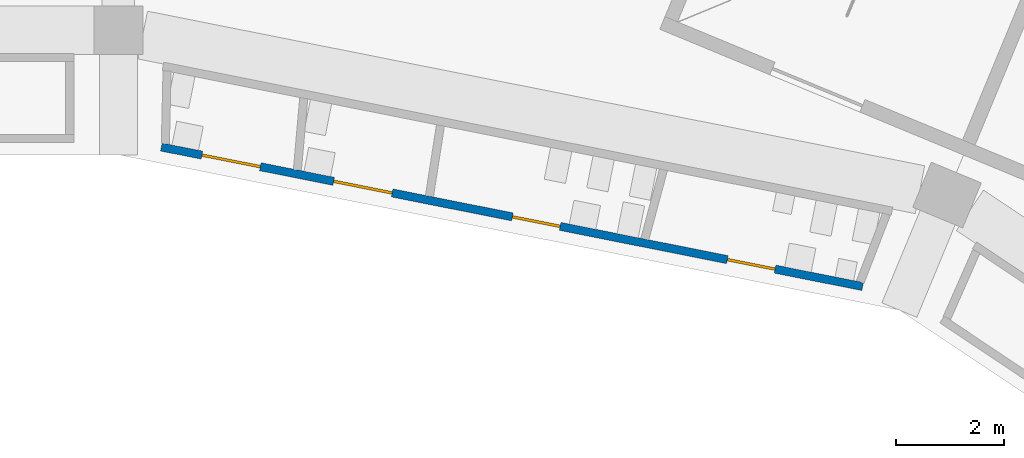
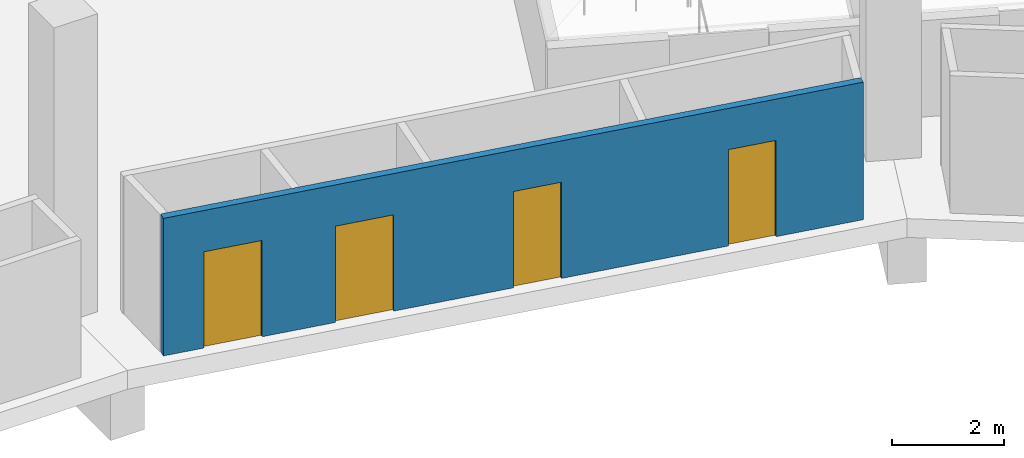
# One storey, part 80 of 130: 4 doors, 1 wall, 4 openings.
"""IFC4 building model written with IfcOpenShell, lengths in metres."""

from ifc_helpers import new_model, si_unit, direction, frame, frame_2d, origin, place, context, subcontext, project, spatial, rectangle, extrude, material, layer, layer_set, type_object, element, fill, save


model = new_model("IFC4")

# Units and contexts
model_context = context("Model", 3, precision=1e-05, world=origin(), true_north=direction((0.0, 1.0)))
body_context = subcontext(model_context, "Body", "Model", "MODEL_VIEW")
ifc_project = project(units=[si_unit("LENGTHUNIT", "METRE"), si_unit("AREAUNIT", "SQUARE_METRE"), si_unit("VOLUMEUNIT", "CUBIC_METRE"), si_unit("PLANEANGLEUNIT", "RADIAN"), si_unit("MASSUNIT", "GRAM", prefix="KILO")], contexts=[model_context])

# Site, building, storey
site_placement = place(None, origin())
site = spatial("IfcSite", under=ifc_project, at=site_placement, CompositionType="ELEMENT")
building_placement = place(site_placement, origin())
building = spatial("IfcBuilding", under=site, at=building_placement, Name="Ogive Plaza Stadium", CompositionType="ELEMENT")
storey_placement = place(building_placement, frame((0.0, 0.0, 22.5)))
storey = spatial("IfcBuildingStorey", under=building, at=storey_placement, Name="L05", CompositionType="ELEMENT", Elevation=22.5)

# Wall, openings, doors
ifc_material_1 = material(Name="Gypsum board partition", Category="gypsum")
ifc_layer = layer(ifc_material_1, 0.14990234375)
ifc_layer_set = layer_set([ifc_layer], Name="Partition 150")
wall_type = type_object("IfcWallType", Name="Partition 150", PredefinedType="PARTITIONING", material=ifc_layer_set)
wall_placement = place(storey_placement, frame((47.74853515625, 87.76513671875, 0.0), z_axis=(0.0, 0.0, 1.0), x_axis=(-0.980782047358, 0.195106574927, 0.0)))
wall = element("IfcWall", 1, at=wall_placement, inside=storey, type_object=wall_type, Name="Wall L05 B37", PredefinedType="PARTITIONING", context=body_context, shape_type="SweptSolid", body=[
    extrude(rectangle(XDim=13.208984375, YDim=0.14990234375, at=frame_2d((6.6044921875, 0.0))), origin(), (0.0, 0.0, 1.0), 3.0),
])
opening_1_placement = place(wall_placement, frame((1.648193359375, 0.0, 0.0)))
opening_1 = element("IfcOpeningElement", 2, at=opening_1_placement, cuts=wall, Name="Opening D1025", PredefinedType="OPENING", context=body_context, shape_type="SweptSolid", body=[
    extrude(rectangle(XDim=0.89990234375, YDim=2.10009765625, at=frame_2d((0.449951171875, 1.050048828125))), frame((0.0, 0.074951171875, 0.0), z_axis=(0.0, -1.0, 0.0), x_axis=(1.0, 0.0, 0.0)), (0.0, 0.0, 1.0), 0.14990234375),
])
opening_2_placement = place(wall_placement, frame((5.697265625, 0.0, 0.0)))
opening_2 = element("IfcOpeningElement", 3, at=opening_2_placement, cuts=wall, Name="Opening D1026", PredefinedType="OPENING", context=body_context, shape_type="SweptSolid", body=[
    extrude(rectangle(XDim=0.89990234375, YDim=2.10009765625, at=frame_2d((0.449951171875, 1.050048828125))), frame((0.0, 0.074951171875, 0.0), z_axis=(0.0, -1.0, 0.0), x_axis=(1.0, 0.0, 0.0)), (0.0, 0.0, 1.0), 0.14990234375),
])
opening_3_placement = place(wall_placement, frame((8.862548828125, 0.0, 0.0)))
opening_3 = element("IfcOpeningElement", 4, at=opening_3_placement, cuts=wall, Name="Opening D1027", PredefinedType="OPENING", context=body_context, shape_type="SweptSolid", body=[
    extrude(rectangle(XDim=1.10009765625, YDim=2.10009765625, at=frame_2d((0.550048828125, 1.050048828125))), frame((0.0, 0.074951171875, 0.0), z_axis=(0.0, -1.0, 0.0), x_axis=(1.0, 0.0, 0.0)), (0.0, 0.0, 1.0), 0.14990234375),
])
opening_4_placement = place(wall_placement, frame((11.344482421875, 0.0, 0.0)))
opening_4 = element("IfcOpeningElement", 5, at=opening_4_placement, cuts=wall, Name="Opening D1028", PredefinedType="OPENING", context=body_context, shape_type="SweptSolid", body=[
    extrude(rectangle(XDim=1.10009765625, YDim=2.10009765625, at=frame_2d((0.550048828125, 1.050048828125))), frame((0.0, 0.074951171875, 0.0), z_axis=(0.0, -1.0, 0.0), x_axis=(1.0, 0.0, 0.0)), (0.0, 0.0, 1.0), 0.14990234375),
])
ifc_material_2 = material(Name="Steel ASTM A572 Grade 50", Category="steel")
door_type_1 = type_object("IfcDoorType", Name="Accessible door 1100 x 2100", OperationType="SINGLE_SWING_LEFT", PredefinedType="DOOR", material=ifc_material_2)
door_1_placement = place(opening_3_placement, origin())
door_1 = element("IfcDoor", 6, at=door_1_placement, inside=storey, type_object=door_type_1, Name="Accessible WC B37 door", OperationType="SINGLE_SWING_LEFT", OverallHeight=2.10009765625, OverallWidth=1.10009765625, PredefinedType="DOOR", context=body_context, shape_type="SweptSolid", body=[
    extrude(rectangle(XDim=1.10009765625, YDim=2.10009765625, at=frame_2d((0.550048828125, 1.050048828125))), frame((0.0, 0.02490234375, 0.0), z_axis=(0.0, -1.0, 0.0), x_axis=(1.0, 0.0, 0.0)), (0.0, 0.0, 1.0), 0.050048828125),
])
fill(opening_3, door_1)
door_2_placement = place(opening_4_placement, origin())
door_2 = element("IfcDoor", 7, at=door_2_placement, inside=storey, type_object=door_type_1, Name="Family WC B37 door", OperationType="SINGLE_SWING_LEFT", OverallHeight=2.10009765625, OverallWidth=1.10009765625, PredefinedType="DOOR", context=body_context, shape_type="SweptSolid", body=[
    extrude(rectangle(XDim=1.10009765625, YDim=2.10009765625, at=frame_2d((0.550048828125, 1.050048828125))), frame((0.0, 0.02490234375, 0.0), z_axis=(0.0, -1.0, 0.0), x_axis=(1.0, 0.0, 0.0)), (0.0, 0.0, 1.0), 0.050048828125),
])
fill(opening_4, door_2)
ifc_material_3 = material(Name="Steel ASTM A572 Grade 50", Category="steel")
door_type_2 = type_object("IfcDoorType", Name="Door 900 x 2100", OperationType="SINGLE_SWING_LEFT", PredefinedType="DOOR", material=ifc_material_3)
door_3_placement = place(opening_1_placement, origin())
door_3 = element("IfcDoor", 8, at=door_3_placement, inside=storey, type_object=door_type_2, Name="Men's Toilet B37 door", OperationType="SINGLE_SWING_RIGHT", OverallHeight=2.10009765625, OverallWidth=0.89990234375, PredefinedType="DOOR", context=body_context, shape_type="SweptSolid", body=[
    extrude(rectangle(XDim=0.89990234375, YDim=2.10009765625, at=frame_2d((0.449951171875, 1.050048828125))), frame((0.0, 0.02490234375, 0.0), z_axis=(0.0, -1.0, 0.0), x_axis=(1.0, 0.0, 0.0)), (0.0, 0.0, 1.0), 0.050048828125),
])
fill(opening_1, door_3)
door_4_placement = place(opening_2_placement, origin())
door_4 = element("IfcDoor", 9, at=door_4_placement, inside=storey, type_object=door_type_2, Name="Women's Toilet B37 door", OperationType="SINGLE_SWING_LEFT", OverallHeight=2.10009765625, OverallWidth=0.89990234375, PredefinedType="DOOR", context=body_context, shape_type="SweptSolid", body=[
    extrude(rectangle(XDim=0.89990234375, YDim=2.10009765625, at=frame_2d((0.449951171875, 1.050048828125))), frame((0.0, 0.02490234375, 0.0), z_axis=(0.0, -1.0, 0.0), x_axis=(1.0, 0.0, 0.0)), (0.0, 0.0, 1.0), 0.050048828125),
])
fill(opening_2, door_4)

save(model, "model.ifc")
